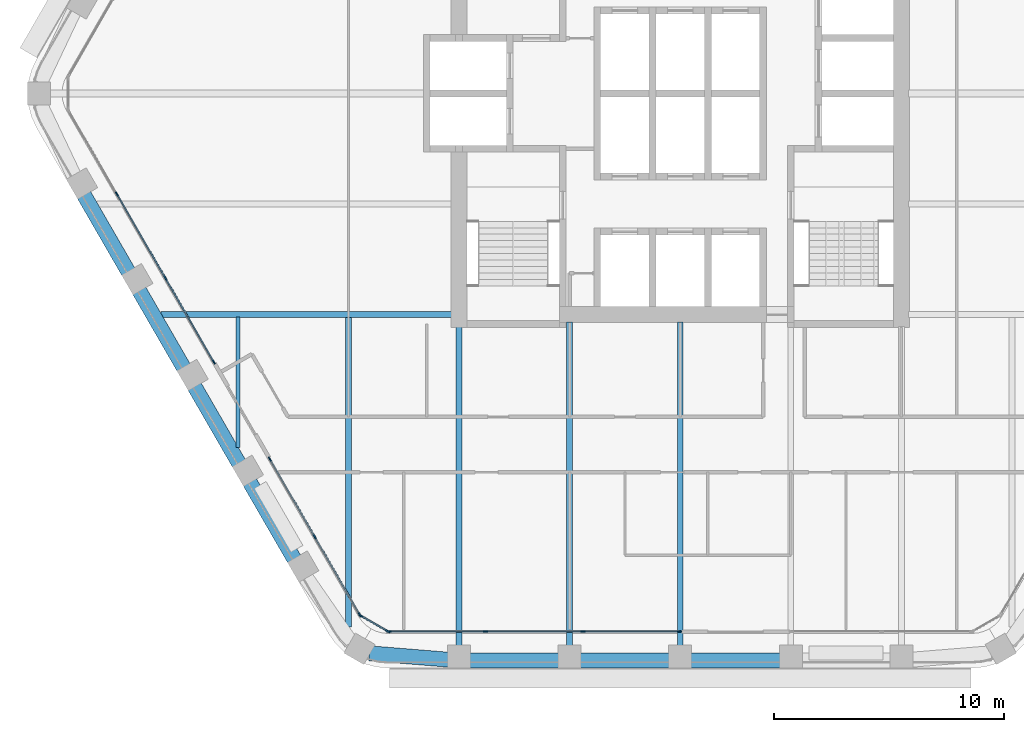
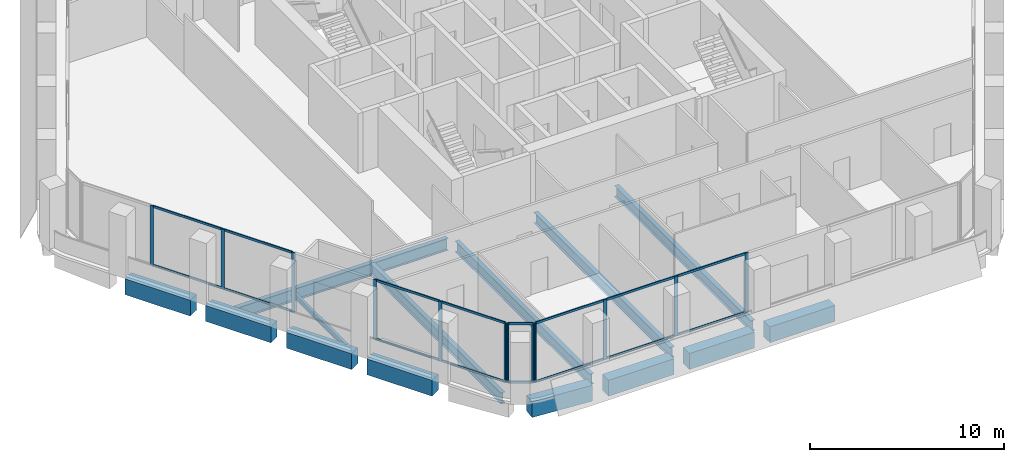
# One storey, part 2 of 15: 28 members, 14 beams, 4 elements without a shape of their own.
"""IFC4 building model written with IfcOpenShell, lengths in metres."""

from ifc_helpers import new_model, si_unit, direction, frame, origin, origin_2d, place, context, subcontext, project, spatial, rectangle, i_section, extrude, material, material_profile, profile_set, type_object, element, aggregate, save


model = new_model("IFC4")

# Units and contexts
model_context = context("Model", 3, precision=1e-05, world=origin(), true_north=direction((0.0, 1.0)))
body_context = subcontext(model_context, "Body", "Model", "MODEL_VIEW")
ifc_project = project(units=[si_unit("LENGTHUNIT", "METRE"), si_unit("AREAUNIT", "SQUARE_METRE"), si_unit("VOLUMEUNIT", "CUBIC_METRE"), si_unit("PLANEANGLEUNIT", "RADIAN"), si_unit("MASSUNIT", "GRAM", prefix="KILO")], contexts=[model_context])

# Site, building, storey
site_placement = place(None, origin())
site = spatial("IfcSite", under=ifc_project, at=site_placement, CompositionType="ELEMENT")
building_placement = place(site_placement, origin())
building = spatial("IfcBuilding", under=site, at=building_placement, Name="Kolab Exchange Tower", CompositionType="ELEMENT")
storey_placement = place(building_placement, frame((0.0, 0.0, 170.0)))
storey = spatial("IfcBuildingStorey", under=building, at=storey_placement, Name="L35", CompositionType="ELEMENT", Elevation=170.0)

# Beams
ifc_material_1 = material(Name="Steel S355", Category="steel")
ifc_material_profile_1 = material_profile(ifc_material_1, i_section(OverallWidth=0.1650390625, OverallDepth=0.31005859375, WebThickness=0.005859375, FlangeThickness=0.009765625, at=origin_2d()), Name="W310X39")
ifc_profile_set_1 = profile_set([ifc_material_profile_1], Name="Steel S355")
beam_type_1 = type_object("IfcBeamType", Name="FLOOR BEAM W310X39", PredefinedType="BEAM", material=ifc_profile_set_1)
beam_1_placement = place(storey_placement, frame((-19.199951171875, -15.36767578125, -0.304931640625), z_axis=(0.0, 1.0, 0.0), x_axis=(-1.0, 0.0, 0.0)))
element("IfcBeam", 1, at=beam_1_placement, inside=storey, type_object=beam_type_1, Name="beam/L35/fr/003", PredefinedType="BEAM", context=body_context, shape_type="SweptSolid", body=[
    extrude(i_section(OverallWidth=0.1650390625, OverallDepth=0.31005859375, WebThickness=0.005859375, FlangeThickness=0.009765625, at=origin_2d()), origin(), (0.0, 0.0, 1.0), 5.674072265625),
])
ifc_material_profile_2 = material_profile(ifc_material_1, i_section(OverallWidth=0.25390625, OverallDepth=0.68408203125, WebThickness=0.012451171875, FlangeThickness=0.018798828125, at=origin_2d()), Name="W690X140")
ifc_profile_set_2 = profile_set([ifc_material_profile_2], Name="Steel S355")
beam_type_2 = type_object("IfcBeamType", Name="FLOOR BEAM W690X140", PredefinedType="BEAM", material=ifc_profile_set_2)
beam_2_placement = place(storey_placement, frame((-14.39990234375, -23.15576171875, -0.491943359375), z_axis=(0.0, 1.0, 0.0), x_axis=(-1.0, 0.0, 0.0)))
element("IfcBeam", 2, at=beam_2_placement, inside=storey, type_object=beam_type_2, Name="beam/L35/fr/005", PredefinedType="BEAM", context=body_context, shape_type="SweptSolid", body=[
    extrude(i_section(OverallWidth=0.25390625, OverallDepth=0.68408203125, WebThickness=0.012451171875, FlangeThickness=0.018798828125, at=origin_2d()), origin(), (0.0, 0.0, 1.0), 13.462158203125),
])
beam_3_placement = place(storey_placement, frame((-9.60009765625, -23.9814453125, -0.491943359375), z_axis=(0.0, 1.0, 0.0), x_axis=(-1.0, 0.0, 0.0)))
element("IfcBeam", 3, at=beam_3_placement, inside=storey, type_object=beam_type_2, Name="beam/L35/fr/007", PredefinedType="BEAM", context=body_context, shape_type="SweptSolid", body=[
    extrude(i_section(OverallWidth=0.25390625, OverallDepth=0.68408203125, WebThickness=0.012451171875, FlangeThickness=0.018798828125, at=origin_2d()), origin(), (0.0, 0.0, 1.0), 13.871337890625),
])
for number, where, z_axis, x_axis, name in (
    (4, (-4.800048828125, -23.9814453125, -0.491943359375), (0.0, 1.0, 0.0), (-1.0, 0.0, 0.0), "beam/L35/fr/009"),
    (5, (0.0, -23.9814453125, -0.491943359375), (0.0, 1.0, 0.0), (-1.0, 0.0, 0.0), "beam/L35/fr/011"),
):
    element("IfcBeam", number, at=place(storey_placement, frame(where, z_axis=z_axis, x_axis=x_axis)), inside=storey, type_object=beam_type_2, Name=name, PredefinedType="BEAM", context=body_context, shape_type="SweptSolid", body=[
        extrude(i_section(OverallWidth=0.25390625, OverallDepth=0.68408203125, WebThickness=0.012451171875, FlangeThickness=0.018798828125, at=origin_2d()), origin(), (0.0, 0.0, 1.0), 14.071533203125),
    ])
ifc_material_profile_3 = material_profile(ifc_material_1, i_section(OverallWidth=0.26708984375, OverallDepth=0.761962890625, WebThickness=0.014404296875, FlangeThickness=0.021484375, at=origin_2d()), Name="W760X173")
ifc_profile_set_3 = profile_set([ifc_material_profile_3], Name="Steel S355")
beam_type_3 = type_object("IfcBeamType", Name="FLOOR GIRDER W760X173", PredefinedType="BEAM", material=ifc_profile_set_3)
beam_4_placement = place(storey_placement, frame((-22.546875, -9.60009765625, -0.531005859375), z_axis=(1.0, 0.0, 0.0), x_axis=(0.0, 1.0, 0.0)))
element("IfcBeam", 6, at=beam_4_placement, inside=storey, type_object=beam_type_3, Name="beam/L35/gd/000", PredefinedType="BEAM", context=body_context, shape_type="SweptSolid", body=[
    extrude(i_section(OverallWidth=0.26708984375, OverallDepth=0.761962890625, WebThickness=0.014404296875, FlangeThickness=0.021484375, at=origin_2d()), origin(), (0.0, 0.0, 1.0), 12.636962890625),
])
ifc_material_2 = material(Name="Concrete C60/75", Category="concrete")
ifc_material_profile_4 = material_profile(ifc_material_2, rectangle(XDim=0.64990234375, YDim=1.0, at=origin_2d()), Name="RC650X1000")
ifc_profile_set_4 = profile_set([ifc_material_profile_4], Name="Concrete C60/75")
beam_type_4 = type_object("IfcBeamType", Name="SPANDREL BEAM 650X1000 C60/75", PredefinedType="BEAM", material=ifc_profile_set_4)
for number, where, z_axis, x_axis, name in (
    (7, (4.340087890625, -24.616455078125, -0.64990234375), (-1.0, 0.0, 0.0), (0.0, -1.0, 0.0), "beam/L35/sp/F4-03"),
    (8, (-0.4599609375, -24.616455078125, -0.64990234375), (-1.0, 0.0, 0.0), (0.0, -1.0, 0.0), "beam/L35/sp/F4-04"),
):
    element("IfcBeam", number, at=place(storey_placement, frame(where, z_axis=z_axis, x_axis=x_axis)), inside=storey, type_object=beam_type_4, Name=name, PredefinedType="BEAM", context=body_context, shape_type="SweptSolid", body=[
        extrude(rectangle(XDim=0.64990234375, YDim=1.0, at=origin_2d()), origin(), (0.0, 0.0, 1.0), 3.880126953125),
    ])
beam_5_placement = place(storey_placement, frame((-5.260009765625, -24.616455078125, -0.64990234375), z_axis=(-1.0, 0.0, 0.0), x_axis=(0.0, -1.0, 0.0)))
element("IfcBeam", 9, at=beam_5_placement, inside=storey, type_object=beam_type_4, Name="beam/L35/sp/F4-05", PredefinedType="BEAM", context=body_context, shape_type="SweptSolid", body=[
    extrude(rectangle(XDim=0.64990234375, YDim=1.0, at=origin_2d()), origin(), (0.0, 0.0, 1.0), 3.8798828125),
])
beam_6_placement = place(storey_placement, frame((-10.06005859375, -24.5791015625, -0.64990234375), z_axis=(-0.996708497182, 0.081068931445, 0.0), x_axis=(-0.081068931445, -0.996708497182, 0.0)))
element("IfcBeam", 10, at=beam_6_placement, inside=storey, type_object=beam_type_4, Name="beam/L35/sp/F4-06", PredefinedType="BEAM", context=body_context, shape_type="SweptSolid", body=[
    extrude(rectangle(XDim=0.64990234375, YDim=1.0, at=origin_2d()), origin(), (0.0, 0.0, 1.0), 3.445068359375),
])
beam_7_placement = place(storey_placement, frame((-16.74853515625, -20.2236328125, -0.64990234375), z_axis=(-0.499996613652, 0.866027358884, 0.0), x_axis=(-0.866027358884, -0.499996613652, 0.0)))
element("IfcBeam", 11, at=beam_7_placement, inside=storey, type_object=beam_type_4, Name="beam/L35/sp/F5-02", PredefinedType="BEAM", context=body_context, shape_type="SweptSolid", body=[
    extrude(rectangle(XDim=0.64990234375, YDim=1.0, at=origin_2d()), origin(), (0.0, 0.0, 1.0), 3.8798828125),
])
beam_8_placement = place(storey_placement, frame((-19.1484375, -16.06689453125, -0.64990234375), z_axis=(-0.50001655835, 0.866015843605, 0.0), x_axis=(-0.866015843605, -0.50001655835, 0.0)))
element("IfcBeam", 12, at=beam_8_placement, inside=storey, type_object=beam_type_4, Name="beam/L35/sp/F5-03", PredefinedType="BEAM", context=body_context, shape_type="SweptSolid", body=[
    extrude(rectangle(XDim=0.64990234375, YDim=1.0, at=origin_2d()), origin(), (0.0, 0.0, 1.0), 3.880126953125),
])
for number, where, z_axis, x_axis, name in (
    (13, (-21.548583984375, -11.909912109375, -0.64990234375), (-0.499996613652, 0.866027358884, 0.0), (-0.866027358884, -0.499996613652, 0.0), "beam/L35/sp/F5-04"),
    (14, (-23.948486328125, -7.7529296875, -0.64990234375), (-0.499996613652, 0.866027358884, 0.0), (-0.866027358884, -0.499996613652, 0.0), "beam/L35/sp/F5-05"),
):
    element("IfcBeam", number, at=place(storey_placement, frame(where, z_axis=z_axis, x_axis=x_axis)), inside=storey, type_object=beam_type_4, Name=name, PredefinedType="BEAM", context=body_context, shape_type="SweptSolid", body=[
        extrude(rectangle(XDim=0.64990234375, YDim=1.0, at=origin_2d()), origin(), (0.0, 0.0, 1.0), 3.8798828125),
    ])

# Curtain wall, members
ifc_material_3 = material(Name="Aluminium EN AW-6063 T6", Category="aluminium")
curtain_wall_type = type_object("IfcCurtainWallType", Name="UNITISED UPPER MID ZONE CURTAIN WALL", PredefinedType="NOTDEFINED", material=ifc_material_3)
curtain_wall_1_placement = place(storey_placement, origin())
curtain_wall_1 = element("IfcCurtainWall", 15, at=curtain_wall_1_placement, inside=storey, type_object=curtain_wall_type, Name="cw/L35/F4-2", PredefinedType="NOTDEFINED")
ifc_material_profile_5 = material_profile(ifc_material_3, rectangle(XDim=0.06005859375, YDim=0.199951171875, at=origin_2d()), Name="RECT 60X200")
ifc_profile_set_5 = profile_set([ifc_material_profile_5], Name="Aluminium EN AW-6063 T6")
member_type_1 = type_object("IfcMemberType", Name="UNITISED UPPER MID ZONE MULLION 60 X 200", PredefinedType="MULLION", material=ifc_profile_set_5)
member_1_placement = place(storey_placement, frame((-0.030029296875, -23.361572265625, 0.0), z_axis=(0.0, 0.0, 1.0), x_axis=(0.0, -1.0, 0.0)))
member_1 = element("IfcMember", 16, at=member_1_placement, type_object=member_type_1, Name="CW3 mullion 1", PredefinedType="MULLION", context=body_context, shape_type="SweptSolid", body=[
    extrude(rectangle(XDim=0.06005859375, YDim=0.199951171875, at=origin_2d()), origin(), (0.0, 0.0, 1.0), 3.75),
])
member_2_placement = place(storey_placement, frame((-4.22265625, -23.361572265625, 0.0), z_axis=(0.0, 0.0, 1.0), x_axis=(0.0, -1.0, 0.0)))
member_2 = element("IfcMember", 17, at=member_2_placement, type_object=member_type_1, Name="CW3 mullion 2", PredefinedType="MULLION", context=body_context, shape_type="SweptSolid", body=[
    extrude(rectangle(XDim=0.06005859375, YDim=0.199951171875, at=origin_2d()), origin(), (0.0, 0.0, 1.0), 3.75),
])
member_3_placement = place(storey_placement, frame((-8.4453125, -23.361572265625, 0.0), z_axis=(0.0, 0.0, 1.0), x_axis=(0.0, -1.0, 0.0)))
member_3 = element("IfcMember", 18, at=member_3_placement, type_object=member_type_1, Name="CW3 mullion 3", PredefinedType="MULLION", context=body_context, shape_type="SweptSolid", body=[
    extrude(rectangle(XDim=0.06005859375, YDim=0.199951171875, at=origin_2d()), origin(), (0.0, 0.0, 1.0), 3.75),
])
member_4_placement = place(storey_placement, frame((-12.637939453125, -23.361572265625, 0.0), z_axis=(0.0, 0.0, 1.0), x_axis=(0.0, -1.0, 0.0)))
member_4 = element("IfcMember", 19, at=member_4_placement, type_object=member_type_1, Name="CW3 mullion 4", PredefinedType="MULLION", context=body_context, shape_type="SweptSolid", body=[
    extrude(rectangle(XDim=0.06005859375, YDim=0.199951171875, at=origin_2d()), origin(), (0.0, 0.0, 1.0), 3.75),
])

curtain_wall_2_placement = place(storey_placement, origin())
curtain_wall_2 = element("IfcCurtainWall", 20, at=curtain_wall_2_placement, inside=storey, type_object=curtain_wall_type, Name="cw/L35/F5-1", PredefinedType="NOTDEFINED")
member_5_placement = place(storey_placement, frame((-13.91259765625, -22.62548828125, 0.0), z_axis=(0.0, 0.0, 1.0), x_axis=(-0.866025385493, -0.500000031681, 0.0)))
member_5 = element("IfcMember", 21, at=member_5_placement, type_object=member_type_1, Name="CW3 mullion 1", PredefinedType="MULLION", context=body_context, shape_type="SweptSolid", body=[
    extrude(rectangle(XDim=0.06005859375, YDim=0.199951171875, at=origin_2d()), origin(), (0.0, 0.0, 1.0), 3.75),
])
member_6_placement = place(storey_placement, frame((-15.86474609375, -19.24462890625, 0.0), z_axis=(0.0, 0.0, 1.0), x_axis=(-0.866025385493, -0.500000031681, 0.0)))
member_6 = element("IfcMember", 22, at=member_6_placement, type_object=member_type_1, Name="CW3 mullion 2", PredefinedType="MULLION", context=body_context, shape_type="SweptSolid", body=[
    extrude(rectangle(XDim=0.06005859375, YDim=0.199951171875, at=origin_2d()), origin(), (0.0, 0.0, 1.0), 3.75),
])
member_7_placement = place(storey_placement, frame((-17.816650390625, -15.86376953125, 0.0), z_axis=(0.0, 0.0, 1.0), x_axis=(-0.866025385493, -0.500000031681, 0.0)))
member_7 = element("IfcMember", 23, at=member_7_placement, type_object=member_type_1, Name="CW3 mullion 3", PredefinedType="MULLION", context=body_context, shape_type="SweptSolid", body=[
    extrude(rectangle(XDim=0.06005859375, YDim=0.199951171875, at=origin_2d()), origin(), (0.0, 0.0, 1.0), 3.75),
])

curtain_wall_3_placement = place(storey_placement, origin())
curtain_wall_3 = element("IfcCurtainWall", 24, at=curtain_wall_3_placement, inside=storey, type_object=curtain_wall_type, Name="cw/L35/F5-2", PredefinedType="NOTDEFINED")
member_8_placement = place(storey_placement, frame((-20.24658203125, -11.65478515625, 0.0), z_axis=(0.0, 0.0, 1.0), x_axis=(-0.866025427826, -0.499999958358, 0.0)))
member_8 = element("IfcMember", 25, at=member_8_placement, type_object=member_type_1, Name="CW3 mullion 1", PredefinedType="MULLION", context=body_context, shape_type="SweptSolid", body=[
    extrude(rectangle(XDim=0.06005859375, YDim=0.199951171875, at=origin_2d()), origin(), (0.0, 0.0, 1.0), 3.75),
])
member_9_placement = place(storey_placement, frame((-22.343017578125, -8.02392578125, 0.0), z_axis=(0.0, 0.0, 1.0), x_axis=(-0.866025427826, -0.499999958358, 0.0)))
member_9 = element("IfcMember", 26, at=member_9_placement, type_object=member_type_1, Name="CW3 mullion 2", PredefinedType="MULLION", context=body_context, shape_type="SweptSolid", body=[
    extrude(rectangle(XDim=0.06005859375, YDim=0.199951171875, at=origin_2d()), origin(), (0.0, 0.0, 1.0), 3.75),
])
member_10_placement = place(storey_placement, frame((-24.454345703125, -4.366943359375, 0.0), z_axis=(0.0, 0.0, 1.0), x_axis=(-0.866025427826, -0.499999958358, 0.0)))
member_10 = element("IfcMember", 27, at=member_10_placement, type_object=member_type_1, Name="CW3 mullion 3", PredefinedType="MULLION", context=body_context, shape_type="SweptSolid", body=[
    extrude(rectangle(XDim=0.06005859375, YDim=0.199951171875, at=origin_2d()), origin(), (0.0, 0.0, 1.0), 3.75),
])

curtain_wall_4_placement = place(storey_placement, origin())
curtain_wall_4 = element("IfcCurtainWall", 28, at=curtain_wall_4_placement, inside=storey, type_object=curtain_wall_type, Name="cw/L35/F4F5-corner", PredefinedType="NOTDEFINED")
member_11_placement = place(storey_placement, frame((-12.69384765625, -23.346435546875, 0.0), z_axis=(0.0, 0.0, 1.0), x_axis=(-0.50000002237, -0.866025390869, 0.0)))
member_11 = element("IfcMember", 29, at=member_11_placement, type_object=member_type_1, Name="CW3 mullion 1", PredefinedType="MULLION", context=body_context, shape_type="SweptSolid", body=[
    extrude(rectangle(XDim=0.06005859375, YDim=0.199951171875, at=origin_2d()), origin(), (0.0, 0.0, 1.0), 3.75),
])
member_12_placement = place(storey_placement, frame((-13.871826171875, -22.66650390625, 0.0), z_axis=(0.0, 0.0, 1.0), x_axis=(-0.50000002237, -0.866025390869, 0.0)))
member_12 = element("IfcMember", 30, at=member_12_placement, type_object=member_type_1, Name="CW3 mullion 2", PredefinedType="MULLION", context=body_context, shape_type="SweptSolid", body=[
    extrude(rectangle(XDim=0.06005859375, YDim=0.199951171875, at=origin_2d()), origin(), (0.0, 0.0, 1.0), 3.75),
])

# Member
ifc_material_profile_6 = material_profile(ifc_material_3, rectangle(XDim=0.06005859375, YDim=0.139892578125, at=origin_2d()), Name="RECT 60X140")
ifc_profile_set_6 = profile_set([ifc_material_profile_6], Name="Aluminium EN AW-6063 T6")
member_type_2 = type_object("IfcMemberType", Name="UNITISED UPPER MID ZONE TRANSOM 60 X 140", PredefinedType="USERDEFINED", material=ifc_profile_set_6)
member_13_placement = place(storey_placement, frame((-0.06005859375, -23.361572265625, 0.030029296875), z_axis=(-1.0, 0.0, 0.0), x_axis=(0.0, -1.0, 0.0)))
member_13 = element("IfcMember", 31, at=member_13_placement, type_object=member_type_2, Name="CW3 transom 1.1", ObjectType="TRANSOM", PredefinedType="USERDEFINED", context=body_context, shape_type="SweptSolid", body=[
    extrude(rectangle(XDim=0.06005859375, YDim=0.139892578125, at=origin_2d()), origin(), (0.0, 0.0, 1.0), 4.132568359375),
])

member_14_placement = place(storey_placement, frame((-0.06005859375, -23.361572265625, 3.719970703125), z_axis=(-1.0, 0.0, 0.0), x_axis=(0.0, -1.0, 0.0)))
member_14 = element("IfcMember", 32, at=member_14_placement, type_object=member_type_2, Name="CW3 transom 1.2", ObjectType="TRANSOM", PredefinedType="USERDEFINED", context=body_context, shape_type="SweptSolid", body=[
    extrude(rectangle(XDim=0.06005859375, YDim=0.139892578125, at=origin_2d()), origin(), (0.0, 0.0, 1.0), 4.132568359375),
])

member_15_placement = place(storey_placement, frame((-4.252685546875, -23.361572265625, 0.030029296875), z_axis=(-1.0, 0.0, 0.0), x_axis=(0.0, -1.0, 0.0)))
member_15 = element("IfcMember", 33, at=member_15_placement, type_object=member_type_2, Name="CW3 transom 2.1", ObjectType="TRANSOM", PredefinedType="USERDEFINED", context=body_context, shape_type="SweptSolid", body=[
    extrude(rectangle(XDim=0.06005859375, YDim=0.139892578125, at=origin_2d()), origin(), (0.0, 0.0, 1.0), 4.16259765625),
])

member_16_placement = place(storey_placement, frame((-4.252685546875, -23.361572265625, 3.719970703125), z_axis=(-1.0, 0.0, 0.0), x_axis=(0.0, -1.0, 0.0)))
member_16 = element("IfcMember", 34, at=member_16_placement, type_object=member_type_2, Name="CW3 transom 2.2", ObjectType="TRANSOM", PredefinedType="USERDEFINED", context=body_context, shape_type="SweptSolid", body=[
    extrude(rectangle(XDim=0.06005859375, YDim=0.139892578125, at=origin_2d()), origin(), (0.0, 0.0, 1.0), 4.16259765625),
])

member_17_placement = place(storey_placement, frame((-8.475341796875, -23.361572265625, 0.030029296875), z_axis=(-1.0, 0.0, 0.0), x_axis=(0.0, -1.0, 0.0)))
member_17 = element("IfcMember", 35, at=member_17_placement, type_object=member_type_2, Name="CW3 transom 3.1", ObjectType="TRANSOM", PredefinedType="USERDEFINED", context=body_context, shape_type="SweptSolid", body=[
    extrude(rectangle(XDim=0.06005859375, YDim=0.139892578125, at=origin_2d()), origin(), (0.0, 0.0, 1.0), 4.132568359375),
])

member_18_placement = place(storey_placement, frame((-8.475341796875, -23.361572265625, 3.719970703125), z_axis=(-1.0, 0.0, 0.0), x_axis=(0.0, -1.0, 0.0)))
member_18 = element("IfcMember", 36, at=member_18_placement, type_object=member_type_2, Name="CW3 transom 3.2", ObjectType="TRANSOM", PredefinedType="USERDEFINED", context=body_context, shape_type="SweptSolid", body=[
    extrude(rectangle(XDim=0.06005859375, YDim=0.139892578125, at=origin_2d()), origin(), (0.0, 0.0, 1.0), 4.132568359375),
])

aggregate(curtain_wall_1, [member_1, member_2, member_3, member_4, member_13, member_14, member_15, member_16, member_17, member_18])

member_19_placement = place(storey_placement, frame((-13.927734375, -22.599609375, 0.030029296875), z_axis=(-0.499964356602, 0.866045981532, 0.0), x_axis=(-0.866045981532, -0.499964356602, 0.0)))
member_19 = element("IfcMember", 37, at=member_19_placement, type_object=member_type_2, Name="CW3 transom 1.1", ObjectType="TRANSOM", PredefinedType="USERDEFINED", context=body_context, shape_type="SweptSolid", body=[
    extrude(rectangle(XDim=0.06005859375, YDim=0.139892578125, at=origin_2d()), origin(), (0.0, 0.0, 1.0), 3.843994140625),
])

member_20_placement = place(storey_placement, frame((-13.927734375, -22.599609375, 3.719970703125), z_axis=(-0.499964356602, 0.866045981532, 0.0), x_axis=(-0.866045981532, -0.499964356602, 0.0)))
member_20 = element("IfcMember", 38, at=member_20_placement, type_object=member_type_2, Name="CW3 transom 1.2", ObjectType="TRANSOM", PredefinedType="USERDEFINED", context=body_context, shape_type="SweptSolid", body=[
    extrude(rectangle(XDim=0.06005859375, YDim=0.139892578125, at=origin_2d()), origin(), (0.0, 0.0, 1.0), 3.843994140625),
])

member_21_placement = place(storey_placement, frame((-15.879638671875, -19.21875, 0.030029296875), z_axis=(-0.500011990396, 0.866018481016, 0.0), x_axis=(-0.866018481016, -0.500011990396, 0.0)))
member_21 = element("IfcMember", 39, at=member_21_placement, type_object=member_type_2, Name="CW3 transom 2.1", ObjectType="TRANSOM", PredefinedType="USERDEFINED", context=body_context, shape_type="SweptSolid", body=[
    extrude(rectangle(XDim=0.06005859375, YDim=0.139892578125, at=origin_2d()), origin(), (0.0, 0.0, 1.0), 3.84423828125),
])

member_22_placement = place(storey_placement, frame((-15.879638671875, -19.21875, 3.719970703125), z_axis=(-0.500011990396, 0.866018481016, 0.0), x_axis=(-0.866018481016, -0.500011990396, 0.0)))
member_22 = element("IfcMember", 40, at=member_22_placement, type_object=member_type_2, Name="CW3 transom 2.2", ObjectType="TRANSOM", PredefinedType="USERDEFINED", context=body_context, shape_type="SweptSolid", body=[
    extrude(rectangle(XDim=0.06005859375, YDim=0.139892578125, at=origin_2d()), origin(), (0.0, 0.0, 1.0), 3.84423828125),
])

aggregate(curtain_wall_2, [member_5, member_6, member_7, member_19, member_20, member_21, member_22])

member_23_placement = place(storey_placement, frame((-20.26171875, -11.62890625, 0.030029296875), z_axis=(-0.500001996123, 0.866024251319, 0.0), x_axis=(-0.866024251319, -0.500001996123, 0.0)))
member_23 = element("IfcMember", 41, at=member_23_placement, type_object=member_type_2, Name="CW3 transom 1.1", ObjectType="TRANSOM", PredefinedType="USERDEFINED", context=body_context, shape_type="SweptSolid", body=[
    extrude(rectangle(XDim=0.06005859375, YDim=0.139892578125, at=origin_2d()), origin(), (0.0, 0.0, 1.0), 4.1328125),
])

member_24_placement = place(storey_placement, frame((-20.26171875, -11.62890625, 3.719970703125), z_axis=(-0.500001996123, 0.866024251319, 0.0), x_axis=(-0.866024251319, -0.500001996123, 0.0)))
member_24 = element("IfcMember", 42, at=member_24_placement, type_object=member_type_2, Name="CW3 transom 1.2", ObjectType="TRANSOM", PredefinedType="USERDEFINED", context=body_context, shape_type="SweptSolid", body=[
    extrude(rectangle(XDim=0.06005859375, YDim=0.139892578125, at=origin_2d()), origin(), (0.0, 0.0, 1.0), 4.1328125),
])

member_25_placement = place(storey_placement, frame((-22.35791015625, -7.997802734375, 0.030029296875), z_axis=(-0.49999322259, 0.866029316688, 0.0), x_axis=(-0.866029316688, -0.49999322259, 0.0)))
member_25 = element("IfcMember", 43, at=member_25_placement, type_object=member_type_2, Name="CW3 transom 2.1", ObjectType="TRANSOM", PredefinedType="USERDEFINED", context=body_context, shape_type="SweptSolid", body=[
    extrude(rectangle(XDim=0.06005859375, YDim=0.139892578125, at=origin_2d()), origin(), (0.0, 0.0, 1.0), 4.16259765625),
])

member_26_placement = place(storey_placement, frame((-22.35791015625, -7.997802734375, 3.719970703125), z_axis=(-0.49999322259, 0.866029316688, 0.0), x_axis=(-0.866029316688, -0.49999322259, 0.0)))
member_26 = element("IfcMember", 44, at=member_26_placement, type_object=member_type_2, Name="CW3 transom 2.2", ObjectType="TRANSOM", PredefinedType="USERDEFINED", context=body_context, shape_type="SweptSolid", body=[
    extrude(rectangle(XDim=0.06005859375, YDim=0.139892578125, at=origin_2d()), origin(), (0.0, 0.0, 1.0), 4.16259765625),
])

aggregate(curtain_wall_3, [member_8, member_9, member_10, member_23, member_24, member_25, member_26])

member_27_placement = place(storey_placement, frame((-12.719970703125, -23.33154296875, 0.030029296875), z_axis=(-0.86603858612, 0.49997716683, 0.0), x_axis=(-0.49997716683, -0.86603858612, 0.0)))
member_27 = element("IfcMember", 45, at=member_27_placement, type_object=member_type_2, Name="CW3 transom 1.1", ObjectType="TRANSOM", PredefinedType="USERDEFINED", context=body_context, shape_type="SweptSolid", body=[
    extrude(rectangle(XDim=0.06005859375, YDim=0.139892578125, at=origin_2d()), origin(), (0.0, 0.0, 1.0), 1.2998046875),
])

member_28_placement = place(storey_placement, frame((-12.719970703125, -23.33154296875, 3.719970703125), z_axis=(-0.86603858612, 0.49997716683, 0.0), x_axis=(-0.49997716683, -0.86603858612, 0.0)))
member_28 = element("IfcMember", 46, at=member_28_placement, type_object=member_type_2, Name="CW3 transom 1.2", ObjectType="TRANSOM", PredefinedType="USERDEFINED", context=body_context, shape_type="SweptSolid", body=[
    extrude(rectangle(XDim=0.06005859375, YDim=0.139892578125, at=origin_2d()), origin(), (0.0, 0.0, 1.0), 1.2998046875),
])

aggregate(curtain_wall_4, [member_11, member_12, member_27, member_28])

save(model, "model.ifc")
